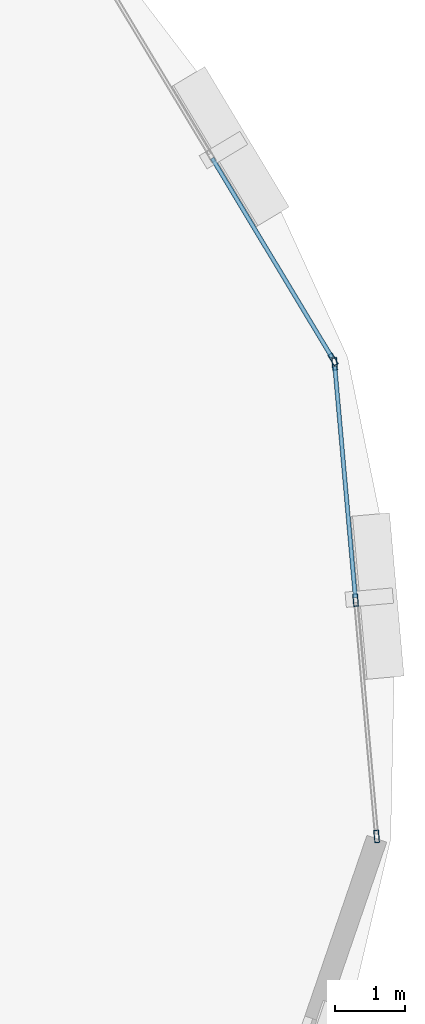
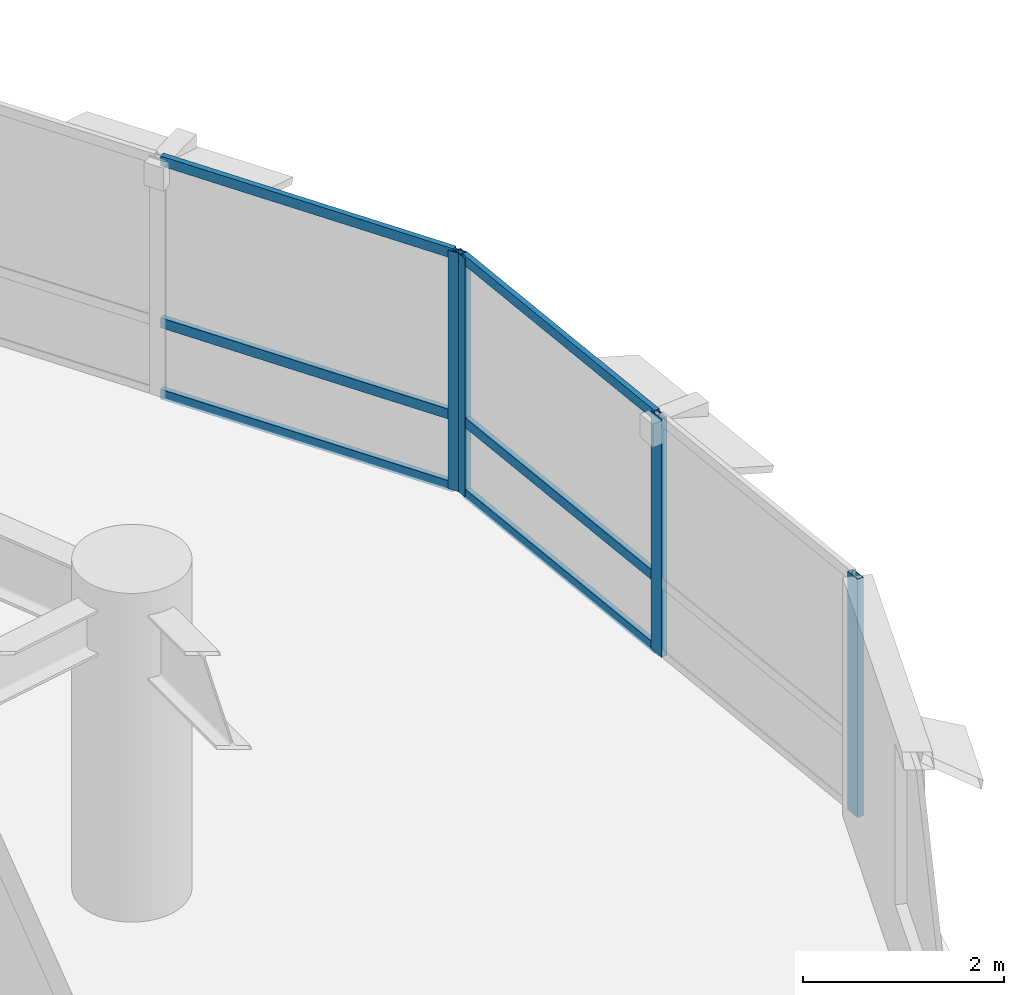
# One storey, part 6 of 15: 10 members, 2 elements without a shape of their own.
"""IFC4 building model written with IfcOpenShell, lengths in metres."""

from ifc_helpers import new_model, si_unit, direction, frame, origin, origin_2d, place, context, subcontext, project, spatial, hollow_rectangle, extrude, material, layer, layer_set, material_profile, profile_set, type_object, element, aggregate, save


model = new_model("IFC4")

# Units and contexts
model_context = context("Model", 3, precision=1e-05, world=origin(), true_north=direction((0.0, 1.0)))
body_context = subcontext(model_context, "Body", "Model", "MODEL_VIEW")
ifc_project = project(units=[si_unit("LENGTHUNIT", "METRE"), si_unit("AREAUNIT", "SQUARE_METRE"), si_unit("VOLUMEUNIT", "CUBIC_METRE"), si_unit("PLANEANGLEUNIT", "RADIAN"), si_unit("MASSUNIT", "GRAM", prefix="KILO"), si_unit("THERMODYNAMICTEMPERATUREUNIT", "KELVIN"), si_unit("POWERUNIT", "WATT")], contexts=[model_context])

# Site, building, storey
site_placement = place(None, origin())
site = spatial("IfcSite", under=ifc_project, at=site_placement, CompositionType="ELEMENT")
building_placement = place(site_placement, origin())
building = spatial("IfcBuilding", under=site, at=building_placement, Name="Ocrelia Relay Tower", CompositionType="ELEMENT")
storey_placement = place(building_placement, frame((0.0, 0.0, 109.800048828125)))
storey = spatial("IfcBuildingStorey", under=building, at=storey_placement, Name="L25", CompositionType="ELEMENT", Elevation=109.800048828125)

# Curtain wall, member
ifc_material_1 = material(Name="Aluminium and solar-control low-E glass", Category="aluminium")
ifc_layer = layer(ifc_material_1, 0.179931640625, Name="Aluminium and solar-control low-E glass")
ifc_layer_set = layer_set([ifc_layer], Name="Aluminium and solar-control low-E glass")
curtain_wall_type = type_object("IfcCurtainWallType", Name="CW-SYS-Z2-SWIT", PredefinedType="NOTDEFINED", material=ifc_layer_set)
curtain_wall_1_placement = place(storey_placement, origin())
curtain_wall_1 = element("IfcCurtainWall", 1, at=curtain_wall_1_placement, inside=storey, type_object=curtain_wall_type, Name="L25 Elliptical Tower Curtain Wall Bay 01", PredefinedType="NOTDEFINED")
ifc_material_2 = material(Name="Anodised bronze aluminium", Category="aluminium")
ifc_material_profile_1 = material_profile(ifc_material_2, hollow_rectangle(XDim=0.070068359375, YDim=0.179931640625, WallThickness=0.006103515625, at=origin_2d()), Name="CW-MUL-180x70")
ifc_profile_set_1 = profile_set([ifc_material_profile_1], Name="Anodised bronze aluminium")
member_type_1 = type_object("IfcMemberType", Name="CW-SYS-Z2-SWIT-MUL", PredefinedType="MULLION", material=ifc_profile_set_1)
member_1_placement = place(storey_placement, frame((58.322021484375, 33.962158203125, 0.0), z_axis=(0.0, 0.0, 1.0), x_axis=(-0.856997416901, -0.51532070347, 0.0)))
member_1 = element("IfcMember", 2, at=member_1_placement, type_object=member_type_1, Name="CW-Z2 mullion 1", PredefinedType="MULLION", context=body_context, shape_type="SweptSolid", body=[
    extrude(hollow_rectangle(XDim=0.070068359375, YDim=0.179931640625, WallThickness=0.006103515625, at=origin_2d()), origin(), (0.0, 0.0, 1.0), 2.89990234375),
])

# Curtain wall, members
curtain_wall_2_placement = place(storey_placement, origin())
curtain_wall_2 = element("IfcCurtainWall", 3, at=curtain_wall_2_placement, inside=storey, type_object=curtain_wall_type, Name="L25 Elliptical Tower Curtain Wall Bay 18", PredefinedType="NOTDEFINED")
member_2_placement = place(storey_placement, frame((58.9462890625, 27.11474609375, 0.0), z_axis=(0.0, 0.0, 1.0), x_axis=(-0.996071045123, -0.088557738612, 0.0)))
member_2 = element("IfcMember", 4, at=member_2_placement, type_object=member_type_1, Name="CW-Z2 mullion 1", PredefinedType="MULLION", context=body_context, shape_type="SweptSolid", body=[
    extrude(hollow_rectangle(XDim=0.070068359375, YDim=0.179931640625, WallThickness=0.006103515625, at=origin_2d()), origin(), (0.0, 0.0, 1.0), 2.89990234375),
])
member_3_placement = place(storey_placement, frame((58.644775390625, 30.506103515625, 0.0), z_axis=(0.0, 0.0, 1.0), x_axis=(-0.996071045123, -0.088557738612, 0.0)))
member_3 = element("IfcMember", 5, at=member_3_placement, type_object=member_type_1, Name="CW-Z2 mullion 2", PredefinedType="MULLION", context=body_context, shape_type="SweptSolid", body=[
    extrude(hollow_rectangle(XDim=0.070068359375, YDim=0.179931640625, WallThickness=0.006103515625, at=origin_2d()), origin(), (0.0, 0.0, 1.0), 2.89990234375),
])
member_4_placement = place(storey_placement, frame((58.34326171875, 33.897216796875, 0.0), z_axis=(0.0, 0.0, 1.0), x_axis=(-0.996071045123, -0.088557738612, 0.0)))
member_4 = element("IfcMember", 6, at=member_4_placement, type_object=member_type_1, Name="CW-Z2 mullion 3", PredefinedType="MULLION", context=body_context, shape_type="SweptSolid", body=[
    extrude(hollow_rectangle(XDim=0.070068359375, YDim=0.179931640625, WallThickness=0.006103515625, at=origin_2d()), origin(), (0.0, 0.0, 1.0), 2.89990234375),
])

# Member
ifc_material_profile_2 = material_profile(ifc_material_2, hollow_rectangle(XDim=0.06005859375, YDim=0.1201171875, WallThickness=0.0048828125, at=origin_2d()), Name="CW-TRN-120x60")
ifc_profile_set_2 = profile_set([ifc_material_profile_2], Name="Anodised bronze aluminium")
member_type_2 = type_object("IfcMemberType", Name="CW-SYS-Z2-SWIT-TRN", PredefinedType="USERDEFINED", material=ifc_profile_set_2)
member_5_placement = place(storey_placement, frame((58.303955078125, 33.9921875, 0.030029296875), z_axis=(-0.515303070577, 0.857008019481, 0.0), x_axis=(-0.857008019481, -0.515303070577, 0.0)))
member_5 = element("IfcMember", 7, at=member_5_placement, type_object=member_type_2, Name="CW-Z2 transom 1.1", ObjectType="TRANSOM", PredefinedType="USERDEFINED", context=body_context, shape_type="SweptSolid", body=[
    extrude(hollow_rectangle(XDim=0.06005859375, YDim=0.1201171875, WallThickness=0.0048828125, at=origin_2d()), origin(), (0.0, 0.0, 1.0), 3.33447265625),
])

member_6_placement = place(storey_placement, frame((58.303955078125, 33.9921875, 0.89990234375), z_axis=(-0.515303070577, 0.857008019481, 0.0), x_axis=(-0.857008019481, -0.515303070577, 0.0)))
member_6 = element("IfcMember", 8, at=member_6_placement, type_object=member_type_2, Name="CW-Z2 transom 1.2", ObjectType="TRANSOM", PredefinedType="USERDEFINED", context=body_context, shape_type="SweptSolid", body=[
    extrude(hollow_rectangle(XDim=0.06005859375, YDim=0.1201171875, WallThickness=0.0048828125, at=origin_2d()), origin(), (0.0, 0.0, 1.0), 3.33447265625),
])

member_7_placement = place(storey_placement, frame((58.303955078125, 33.9921875, 2.869873046875), z_axis=(-0.515303070577, 0.857008019481, 0.0), x_axis=(-0.857008019481, -0.515303070577, 0.0)))
member_7 = element("IfcMember", 9, at=member_7_placement, type_object=member_type_2, Name="CW-Z2 transom 1.3", ObjectType="TRANSOM", PredefinedType="USERDEFINED", context=body_context, shape_type="SweptSolid", body=[
    extrude(hollow_rectangle(XDim=0.06005859375, YDim=0.1201171875, WallThickness=0.0048828125, at=origin_2d()), origin(), (0.0, 0.0, 1.0), 3.33447265625),
])

aggregate(curtain_wall_1, [member_1, member_5, member_6, member_7])

member_8_placement = place(storey_placement, frame((58.6416015625, 30.541015625, 0.030029296875), z_axis=(-0.0885946773, 0.996067760323, 0.0), x_axis=(-0.996067760323, -0.0885946773, 0.0)))
member_8 = element("IfcMember", 10, at=member_8_placement, type_object=member_type_2, Name="CW-Z2 transom 2.1", ObjectType="TRANSOM", PredefinedType="USERDEFINED", context=body_context, shape_type="SweptSolid", body=[
    extrude(hollow_rectangle(XDim=0.06005859375, YDim=0.1201171875, WallThickness=0.0048828125, at=origin_2d()), origin(), (0.0, 0.0, 1.0), 3.33447265625),
])

member_9_placement = place(storey_placement, frame((58.6416015625, 30.541015625, 0.89990234375), z_axis=(-0.0885946773, 0.996067760323, 0.0), x_axis=(-0.996067760323, -0.0885946773, 0.0)))
member_9 = element("IfcMember", 11, at=member_9_placement, type_object=member_type_2, Name="CW-Z2 transom 2.2", ObjectType="TRANSOM", PredefinedType="USERDEFINED", context=body_context, shape_type="SweptSolid", body=[
    extrude(hollow_rectangle(XDim=0.06005859375, YDim=0.1201171875, WallThickness=0.0048828125, at=origin_2d()), origin(), (0.0, 0.0, 1.0), 3.33447265625),
])

member_10_placement = place(storey_placement, frame((58.6416015625, 30.541015625, 2.869873046875), z_axis=(-0.0885946773, 0.996067760323, 0.0), x_axis=(-0.996067760323, -0.0885946773, 0.0)))
member_10 = element("IfcMember", 12, at=member_10_placement, type_object=member_type_2, Name="CW-Z2 transom 2.3", ObjectType="TRANSOM", PredefinedType="USERDEFINED", context=body_context, shape_type="SweptSolid", body=[
    extrude(hollow_rectangle(XDim=0.06005859375, YDim=0.1201171875, WallThickness=0.0048828125, at=origin_2d()), origin(), (0.0, 0.0, 1.0), 3.33447265625),
])

aggregate(curtain_wall_2, [member_2, member_3, member_4, member_8, member_9, member_10])

save(model, "model.ifc")
